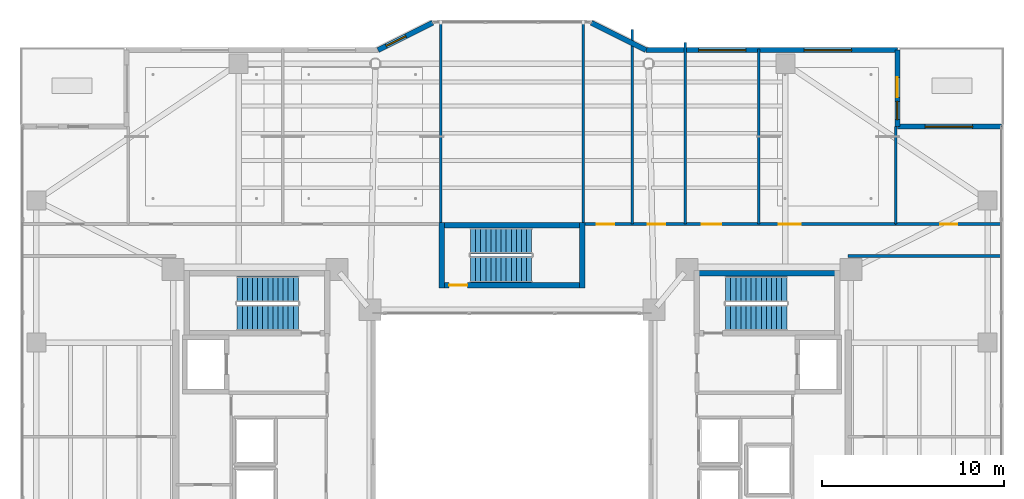
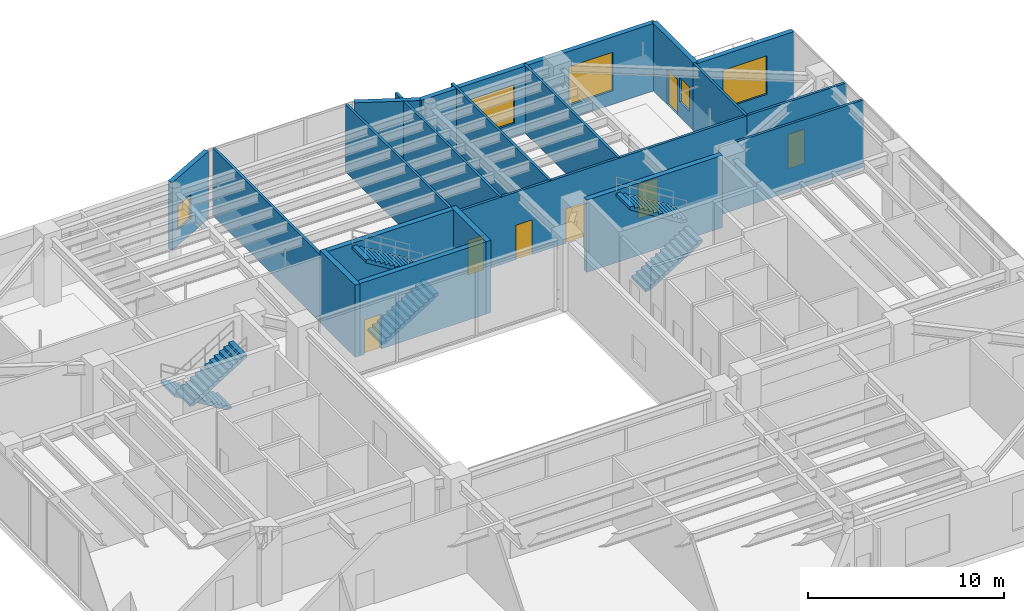
# One storey, part 30 of 38: 19 walls, 7 doors, 6 stair flights, 5 windows, 12 openings, 3 elements without a shape of their own.
"""IFC4 building model written with IfcOpenShell, lengths in metres."""

from ifc_helpers import new_model, si_unit, direction, frame, frame_2d, origin, place, context, subcontext, project, spatial, polyline, rectangle, outline, extrude, material, layer, layer_set, type_object, element, fill, aggregate, save


model = new_model("IFC4")

# Units and contexts
model_context = context("Model", 3, precision=1e-05, world=origin(), true_north=direction((0.0, 1.0)))
body_context = subcontext(model_context, "Body", "Model", "MODEL_VIEW")
ifc_project = project(units=[si_unit("LENGTHUNIT", "METRE"), si_unit("AREAUNIT", "SQUARE_METRE"), si_unit("VOLUMEUNIT", "CUBIC_METRE"), si_unit("PLANEANGLEUNIT", "RADIAN"), si_unit("MASSUNIT", "GRAM", prefix="KILO")], contexts=[model_context])

# Site, building, storey
site_placement = place(None, origin())
site = spatial("IfcSite", under=ifc_project, at=site_placement, CompositionType="ELEMENT")
building_placement = place(site_placement, origin())
building = spatial("IfcBuilding", under=site, at=building_placement, Name="Tarnavaz Court Tower", CompositionType="ELEMENT")
storey_placement = place(building_placement, frame((0.0, 0.0, 123.0)))
storey = spatial("IfcBuildingStorey", under=building, at=storey_placement, Name="L33", CompositionType="ELEMENT", Elevation=123.0)

# Walls
ifc_material_1 = material(Name="Concrete C60/75", Category="concrete")
ifc_layer_1 = layer(ifc_material_1, 0.300048828125)
ifc_layer_set_1 = layer_set([ifc_layer_1], Name="Concrete C60/75")
wall_type_1 = type_object("IfcWallType", Name="WL-CORE-300-C60", PredefinedType="SHEAR", material=ifc_layer_set_1)
for number, where, z_axis, x_axis, name in (
    (1, (10.0, 9.7900390625, 0.0), (0.0, 0.0, 1.0), (1.0, 0.0, 0.0), "L33 East Stair Core Wall 005"),
    (2, (-4.0, 12.43994140625, 0.0), (0.0, 0.0, 1.0), (1.0, 0.0, 0.0), "L33 North Stair Core Wall 009"),
):
    element("IfcWall", number, at=place(storey_placement, frame(where, z_axis=z_axis, x_axis=x_axis)), inside=storey, type_object=wall_type_1, Name=name, PredefinedType="SHEAR", context=body_context, shape_type="SweptSolid", body=[
        extrude(rectangle(XDim=8.0, YDim=0.300048828125, at=frame_2d((4.0, 0.0))), origin(), (0.0, 0.0, 1.0), 4.5),
    ])

# Wall, opening, door
wall_1_placement = place(storey_placement, frame((-4.0, 9.14990234375, 0.0), z_axis=(0.0, 0.0, 1.0), x_axis=(1.0, 0.0, 0.0)))
wall_1 = element("IfcWall", 3, at=wall_1_placement, inside=storey, type_object=wall_type_1, Name="L33 North Stair Core Wall 010", PredefinedType="SHEAR", context=body_context, shape_type="SweptSolid", body=[
    extrude(rectangle(XDim=8.0, YDim=0.300048828125, at=frame_2d((4.0, 0.0))), origin(), (0.0, 0.0, 1.0), 4.5),
])
opening_1_placement = place(wall_1_placement, frame((0.550048828125, 0.0, 0.0)))
opening_1 = element("IfcOpeningElement", 4, at=opening_1_placement, cuts=wall_1, Name="Opening D01", PredefinedType="OPENING", context=body_context, shape_type="SweptSolid", body=[
    extrude(rectangle(XDim=1.0, YDim=2.14990234375, at=frame_2d((0.5, 1.074951171875))), frame((0.0, 0.159912109375, 0.0), z_axis=(0.0, -1.0, 0.0), x_axis=(1.0, 0.0, 0.0)), (0.0, 0.0, 1.0), 0.320068359375),
])
ifc_material_2 = material(Name="Fire-Rated Hardwood Timber Core", Category="wood")
door_type_1 = type_object("IfcDoorType", Name="DR-FD90-1000", OperationType="NOTDEFINED", PredefinedType="DOOR", material=ifc_material_2)
door_1_placement = place(opening_1_placement, origin())
door_1 = element("IfcDoor", 5, at=door_1_placement, inside=storey, type_object=door_type_1, Name="L33 Stair ST-N1 Exit Door", OperationType="SINGLE_SWING_LEFT", OverallHeight=2.14990234375, OverallWidth=1.0, PredefinedType="DOOR", context=body_context, shape_type="SweptSolid", body=[
    extrude(rectangle(XDim=1.0, YDim=2.14990234375, at=frame_2d((0.5, 1.074951171875))), frame((0.0, 0.02490234375, 0.0), z_axis=(0.0, -1.0, 0.0), x_axis=(1.0, 0.0, 0.0)), (0.0, 0.0, 1.0), 0.050048828125),
])
fill(opening_1, door_1)

# Walls
for number, where, z_axis, x_axis, name in (
    (6, (-3.85009765625, 9.0, 0.0), (0.0, 0.0, 1.0), (0.0, 1.0, 0.0), "L33 North Stair Core Wall 011"),
    (7, (3.85009765625, 9.0, 0.0), (0.0, 0.0, 1.0), (0.0, 1.0, 0.0), "L33 North Stair Core Wall 012"),
):
    element("IfcWall", number, at=place(storey_placement, frame(where, z_axis=z_axis, x_axis=x_axis)), inside=storey, type_object=wall_type_1, Name=name, PredefinedType="SHEAR", context=body_context, shape_type="SweptSolid", body=[
        extrude(rectangle(XDim=3.590087890625, YDim=0.300048828125, at=frame_2d((1.794921875, 0.0))), origin(), (0.0, 0.0, 1.0), 4.5),
    ])

# Wall, opening, window
ifc_material_3 = material(Name="Precast Concrete C40/50", Category="concrete")
ifc_layer_2 = layer(ifc_material_3, 0.280029296875)
ifc_layer_set_2 = layer_set([ifc_layer_2], Name="Precast Concrete C40/50")
wall_type_2 = type_object("IfcWallType", Name="WL-EXT-280", PredefinedType="SOLIDWALL", material=ifc_layer_set_2)
wall_2_placement = place(storey_placement, frame((-7.35009765625, 22.050048828125, 0.0), z_axis=(0.0, 0.0, 1.0), x_axis=(0.894427191, 0.4472135955, 0.0)))
wall_2 = element("IfcWall", 8, at=wall_2_placement, inside=storey, type_object=wall_type_2, Name="L33 Exterior Terracotta Facade Wall 06", PredefinedType="SOLIDWALL", context=body_context, shape_type="SweptSolid", body=[
    extrude(rectangle(XDim=3.35400390625, YDim=0.280029296875, at=frame_2d((1.677001953125, 0.0))), origin(), (0.0, 0.0, 1.0), 4.199951171875),
])
opening_2_placement = place(wall_2_placement, frame((0.501220703125, 0.0, 0.949951171875)))
opening_2 = element("IfcOpeningElement", 9, at=opening_2_placement, cuts=wall_2, Name="Opening W05", PredefinedType="OPENING", context=body_context, shape_type="SweptSolid", body=[
    extrude(rectangle(XDim=1.199951171875, YDim=1.5, at=frame_2d((0.60009765625, 0.75))), frame((0.0, 0.14990234375, 0.0), z_axis=(0.0, -1.0, 0.0), x_axis=(1.0, 0.0, 0.0)), (0.0, 0.0, 1.0), 0.300048828125),
])
ifc_material_4 = material(Name="Double-Glazed Solar Low-E Glass", Category="glass")
window_type_1 = type_object("IfcWindowType", Name="WN-APT-1200", PartitioningType="SINGLE_PANEL", PredefinedType="WINDOW", material=ifc_material_4)
window_1_placement = place(opening_2_placement, origin())
window_1 = element("IfcWindow", 10, at=window_1_placement, inside=storey, type_object=window_type_1, Name="L33 L33 Resident Study Library Window", OverallHeight=1.5, OverallWidth=1.199951171875, PartitioningType="SINGLE_PANEL", PredefinedType="WINDOW", context=body_context, shape_type="SweptSolid", body=[
    extrude(rectangle(XDim=1.199951171875, YDim=1.5, at=frame_2d((0.60009765625, 0.75))), frame((0.0, 0.030029296875, 0.0), z_axis=(0.0, -1.0, 0.0), x_axis=(1.0, 0.0, 0.0)), (0.0, 0.0, 1.0), 0.06005859375),
])
fill(opening_2, window_1)

# Wall
wall_3_placement = place(storey_placement, frame((4.35009765625, 23.550048828125, 0.0), z_axis=(0.0, 0.0, 1.0), x_axis=(0.894427191, -0.4472135955, 0.0)))
element("IfcWall", 11, at=wall_3_placement, inside=storey, type_object=wall_type_2, Name="L33 Exterior Terracotta Facade Wall 08", PredefinedType="SOLIDWALL", context=body_context, shape_type="SweptSolid", body=[
    extrude(rectangle(XDim=3.35400390625, YDim=0.280029296875, at=frame_2d((1.677001953125, 0.0))), origin(), (0.0, 0.0, 1.0), 4.199951171875),
])

# Wall, openings, windows
wall_4_placement = place(storey_placement, frame((7.35009765625, 22.050048828125, 0.0), z_axis=(0.0, 0.0, 1.0), x_axis=(1.0, 0.0, 0.0)))
wall_4 = element("IfcWall", 12, at=wall_4_placement, inside=storey, type_object=wall_type_2, Name="L33 Exterior Terracotta Facade Wall 09", PredefinedType="SOLIDWALL", context=body_context, shape_type="SweptSolid", body=[
    extrude(rectangle(XDim=13.7998046875, YDim=0.280029296875, at=frame_2d((6.89990234375, 0.0))), origin(), (0.0, 0.0, 1.0), 4.199951171875),
])
opening_3_placement = place(wall_4_placement, frame((2.89013671875, 0.0, 0.85009765625)))
opening_3 = element("IfcOpeningElement", 13, at=opening_3_placement, cuts=wall_4, Name="Opening W11", PredefinedType="OPENING", context=body_context, shape_type="SweptSolid", body=[
    extrude(rectangle(XDim=2.60009765625, YDim=2.39990234375, at=frame_2d((1.300048828125, 1.199951171875))), frame((0.0, 0.14990234375, 0.0), z_axis=(0.0, -1.0, 0.0), x_axis=(1.0, 0.0, 0.0)), (0.0, 0.0, 1.0), 0.300048828125),
])
opening_4_placement = place(wall_4_placement, frame((8.686279296875, 0.0, 0.85009765625)))
opening_4 = element("IfcOpeningElement", 14, at=opening_4_placement, cuts=wall_4, Name="Opening W11", PredefinedType="OPENING", context=body_context, shape_type="SweptSolid", body=[
    extrude(rectangle(XDim=2.60009765625, YDim=2.39990234375, at=frame_2d((1.300048828125, 1.199951171875))), frame((0.0, 0.14990234375, 0.0), z_axis=(0.0, -1.0, 0.0), x_axis=(1.0, 0.0, 0.0)), (0.0, 0.0, 1.0), 0.300048828125),
])
window_type_2 = type_object("IfcWindowType", Name="WN-COM-2600", PartitioningType="TRIPLE_PANEL_VERTICAL", PredefinedType="WINDOW", material=ifc_material_4)
window_2_placement = place(opening_3_placement, origin())
window_2 = element("IfcWindow", 15, at=window_2_placement, inside=storey, type_object=window_type_2, Name="L33 Community Seminar Meeting Room Window", OverallHeight=2.39990234375, OverallWidth=2.60009765625, PartitioningType="SINGLE_PANEL", PredefinedType="WINDOW", context=body_context, shape_type="SweptSolid", body=[
    extrude(rectangle(XDim=2.60009765625, YDim=2.39990234375, at=frame_2d((1.300048828125, 1.199951171875))), frame((0.0, 0.030029296875, 0.0), z_axis=(0.0, -1.0, 0.0), x_axis=(1.0, 0.0, 0.0)), (0.0, 0.0, 1.0), 0.06005859375),
])
fill(opening_3, window_2)
window_3_placement = place(opening_4_placement, origin())
window_3 = element("IfcWindow", 16, at=window_3_placement, inside=storey, type_object=window_type_2, Name="L33 L33 Fitness Studio Window", OverallHeight=2.39990234375, OverallWidth=2.60009765625, PartitioningType="SINGLE_PANEL", PredefinedType="WINDOW", context=body_context, shape_type="SweptSolid", body=[
    extrude(rectangle(XDim=2.60009765625, YDim=2.39990234375, at=frame_2d((1.300048828125, 1.199951171875))), frame((0.0, 0.030029296875, 0.0), z_axis=(0.0, -1.0, 0.0), x_axis=(1.0, 0.0, 0.0)), (0.0, 0.0, 1.0), 0.06005859375),
])
fill(opening_4, window_3)

# Wall, openings, door, window
wall_5_placement = place(storey_placement, frame((21.14990234375, 22.050048828125, 0.0), z_axis=(0.0, 0.0, 1.0), x_axis=(0.0, -1.0, 0.0)))
wall_5 = element("IfcWall", 17, at=wall_5_placement, inside=storey, type_object=wall_type_2, Name="L33 Exterior Terracotta Facade Wall 10", PredefinedType="SOLIDWALL", context=body_context, shape_type="SweptSolid", body=[
    extrude(rectangle(XDim=4.199951171875, YDim=0.280029296875, at=frame_2d((2.10009765625, 0.0))), origin(), (0.0, 0.0, 1.0), 4.199951171875),
])
opening_5_placement = place(wall_5_placement, frame((1.5, 0.0, 0.0)))
opening_5 = element("IfcOpeningElement", 18, at=opening_5_placement, cuts=wall_5, Name="Opening TD1", PredefinedType="OPENING", context=body_context, shape_type="SweptSolid", body=[
    extrude(rectangle(XDim=1.10009765625, YDim=2.199951171875, at=frame_2d((0.550048828125, 1.10009765625))), frame((0.0, 0.14990234375, 0.0), z_axis=(0.0, -1.0, 0.0), x_axis=(1.0, 0.0, 0.0)), (0.0, 0.0, 1.0), 0.300048828125),
])
opening_6_placement = place(wall_5_placement, frame((2.8125, 0.0, 0.949951171875)))
opening_6 = element("IfcOpeningElement", 19, at=opening_6_placement, cuts=wall_5, Name="Opening W14", PredefinedType="OPENING", context=body_context, shape_type="SweptSolid", body=[
    extrude(rectangle(XDim=1.0, YDim=1.5, at=frame_2d((0.5, 0.75))), frame((0.0, 0.14990234375, 0.0), z_axis=(0.0, -1.0, 0.0), x_axis=(1.0, 0.0, 0.0)), (0.0, 0.0, 1.0), 0.300048828125),
])
ifc_material_5 = material(Name="Thermally Broken Aluminium and Laminated Glass", Category="aluminium")
door_type_2 = type_object("IfcDoorType", Name="DR-TERR-1100", OperationType="NOTDEFINED", PredefinedType="DOOR", material=ifc_material_5)
door_2_placement = place(opening_5_placement, origin())
door_2 = element("IfcDoor", 20, at=door_2_placement, inside=storey, type_object=door_type_2, Name="L33 Sky Terrace Access Door 1", OperationType="SINGLE_SWING_LEFT", OverallHeight=2.199951171875, OverallWidth=1.10009765625, PredefinedType="DOOR", context=body_context, shape_type="SweptSolid", body=[
    extrude(rectangle(XDim=1.10009765625, YDim=2.199951171875, at=frame_2d((0.550048828125, 1.10009765625))), frame((0.0, 0.02490234375, 0.0), z_axis=(0.0, -1.0, 0.0), x_axis=(1.0, 0.0, 0.0)), (0.0, 0.0, 1.0), 0.050048828125),
])
fill(opening_5, door_2)
window_type_3 = type_object("IfcWindowType", Name="WN-APT-1000", PartitioningType="SINGLE_PANEL", PredefinedType="WINDOW", material=ifc_material_4)
window_4_placement = place(opening_6_placement, origin())
window_4 = element("IfcWindow", 21, at=window_4_placement, inside=storey, type_object=window_type_3, Name="L33 L33 Fitness Studio Window", OverallHeight=1.5, OverallWidth=1.0, PartitioningType="SINGLE_PANEL", PredefinedType="WINDOW", context=body_context, shape_type="SweptSolid", body=[
    extrude(rectangle(XDim=1.0, YDim=1.5, at=frame_2d((0.5, 0.75))), frame((0.0, 0.030029296875, 0.0), z_axis=(0.0, -1.0, 0.0), x_axis=(1.0, 0.0, 0.0)), (0.0, 0.0, 1.0), 0.06005859375),
])
fill(opening_6, window_4)

# Wall, opening, window
wall_6_placement = place(storey_placement, frame((21.14990234375, 17.85009765625, 0.0), z_axis=(0.0, 0.0, 1.0), x_axis=(1.0, 0.0, 0.0)))
wall_6 = element("IfcWall", 22, at=wall_6_placement, inside=storey, type_object=wall_type_2, Name="L33 Exterior Terracotta Facade Wall 11", PredefinedType="SOLIDWALL", context=body_context, shape_type="SweptSolid", body=[
    extrude(rectangle(XDim=5.7001953125, YDim=0.280029296875, at=frame_2d((2.85009765625, 0.0))), origin(), (0.0, 0.0, 1.0), 4.199951171875),
])
opening_7_placement = place(wall_6_placement, frame((1.52490234375, 0.0, 0.85009765625)))
opening_7 = element("IfcOpeningElement", 23, at=opening_7_placement, cuts=wall_6, Name="Opening W11", PredefinedType="OPENING", context=body_context, shape_type="SweptSolid", body=[
    extrude(rectangle(XDim=2.60009765625, YDim=2.39990234375, at=frame_2d((1.300048828125, 1.199951171875))), frame((0.0, 0.14990234375, 0.0), z_axis=(0.0, -1.0, 0.0), x_axis=(1.0, 0.0, 0.0)), (0.0, 0.0, 1.0), 0.300048828125),
])
window_5_placement = place(opening_7_placement, origin())
window_5 = element("IfcWindow", 24, at=window_5_placement, inside=storey, type_object=window_type_2, Name="L33 L33 NE Terrace Salon Window", OverallHeight=2.39990234375, OverallWidth=2.60009765625, PartitioningType="SINGLE_PANEL", PredefinedType="WINDOW", context=body_context, shape_type="SweptSolid", body=[
    extrude(rectangle(XDim=2.60009765625, YDim=2.39990234375, at=frame_2d((1.300048828125, 1.199951171875))), frame((0.0, 0.030029296875, 0.0), z_axis=(0.0, -1.0, 0.0), x_axis=(1.0, 0.0, 0.0)), (0.0, 0.0, 1.0), 0.06005859375),
])
fill(opening_7, window_5)

# Wall, openings, doors
ifc_material_6 = material(Name="Gypsum Fire-Board on Acoustic Metal Stud", Category="masonry")
ifc_layer_3 = layer(ifc_material_6, 0.14990234375)
ifc_layer_set_3 = layer_set([ifc_layer_3], Name="Gypsum Fire-Board on Acoustic Metal Stud")
wall_type_3 = type_object("IfcWallType", Name="WL-FIRE-150", PredefinedType="PARTITIONING", material=ifc_layer_set_3)
wall_7_placement = place(storey_placement, frame((3.85009765625, 12.5, 0.0), z_axis=(0.0, 0.0, 1.0), x_axis=(1.0, 0.0, 0.0)))
wall_7 = element("IfcWall", 25, at=wall_7_placement, inside=storey, type_object=wall_type_3, Name="L33 NE Wing Corridor Wall 072", PredefinedType="PARTITIONING", context=body_context, shape_type="SweptSolid", body=[
    extrude(rectangle(XDim=17.199951171875, YDim=0.14990234375, at=frame_2d((8.60009765625, 0.0))), origin(), (0.0, 0.0, 1.0), 4.199951171875),
])
opening_8_placement = place(wall_7_placement, frame((0.800048828125, 0.0, 0.0)))
opening_8 = element("IfcOpeningElement", 26, at=opening_8_placement, cuts=wall_7, Name="Opening D13", PredefinedType="OPENING", context=body_context, shape_type="SweptSolid", body=[
    extrude(rectangle(XDim=0.949951171875, YDim=2.14990234375, at=frame_2d((0.47509765625, 1.074951171875))), frame((0.0, 0.0849609375, 0.0), z_axis=(0.0, -1.0, 0.0), x_axis=(1.0, 0.0, 0.0)), (0.0, 0.0, 1.0), 0.169921875),
])
opening_9_placement = place(wall_7_placement, frame((3.60009765625, 0.0, 0.0)))
opening_9 = element("IfcOpeningElement", 27, at=opening_9_placement, cuts=wall_7, Name="Opening D13", PredefinedType="OPENING", context=body_context, shape_type="SweptSolid", body=[
    extrude(rectangle(XDim=0.949951171875, YDim=2.14990234375, at=frame_2d((0.47509765625, 1.074951171875))), frame((0.0, 0.0849609375, 0.0), z_axis=(0.0, -1.0, 0.0), x_axis=(1.0, 0.0, 0.0)), (0.0, 0.0, 1.0), 0.169921875),
])
opening_10_placement = place(wall_7_placement, frame((6.550048828125, 0.0, 0.0)))
opening_10 = element("IfcOpeningElement", 28, at=opening_10_placement, cuts=wall_7, Name="Opening D12", PredefinedType="OPENING", context=body_context, shape_type="SweptSolid", body=[
    extrude(rectangle(XDim=1.080078125, YDim=2.14990234375, at=frame_2d((0.5400390625, 1.074951171875))), frame((0.0, 0.0849609375, 0.0), z_axis=(0.0, -1.0, 0.0), x_axis=(1.0, 0.0, 0.0)), (0.0, 0.0, 1.0), 0.169921875),
])
opening_11_placement = place(wall_7_placement, frame((10.79296875, 0.0, 0.0)))
opening_11 = element("IfcOpeningElement", 29, at=opening_11_placement, cuts=wall_7, Name="Opening D11", PredefinedType="OPENING", context=body_context, shape_type="SweptSolid", body=[
    extrude(rectangle(XDim=1.199951171875, YDim=2.14990234375, at=frame_2d((0.60009765625, 1.074951171875))), frame((0.0, 0.0849609375, 0.0), z_axis=(0.0, -1.0, 0.0), x_axis=(1.0, 0.0, 0.0)), (0.0, 0.0, 1.0), 0.169921875),
])
ifc_material_7 = material(Name="Engineered Oak Timber", Category="wood")
door_type_3 = type_object("IfcDoorType", Name="DR-INT-1100", OperationType="NOTDEFINED", PredefinedType="DOOR", material=ifc_material_7)
door_3_placement = place(opening_10_placement, origin())
door_3 = element("IfcDoor", 30, at=door_3_placement, inside=storey, type_object=door_type_3, Name="L33 Community Meeting Room Door", OperationType="SINGLE_SWING_LEFT", OverallHeight=2.14990234375, OverallWidth=1.080078125, PredefinedType="DOOR", context=body_context, shape_type="SweptSolid", body=[
    extrude(rectangle(XDim=1.080078125, YDim=2.14990234375, at=frame_2d((0.5400390625, 1.074951171875))), frame((0.0, 0.02490234375, 0.0), z_axis=(0.0, -1.0, 0.0), x_axis=(1.0, 0.0, 0.0)), (0.0, 0.0, 1.0), 0.050048828125),
])
fill(opening_10, door_3)
door_type_4 = type_object("IfcDoorType", Name="DR-INT-1200", OperationType="NOTDEFINED", PredefinedType="DOOR", material=ifc_material_7)
door_4_placement = place(opening_11_placement, origin())
door_4 = element("IfcDoor", 31, at=door_4_placement, inside=storey, type_object=door_type_4, Name="L33 L33 Fitness Studio Door", OperationType="SINGLE_SWING_RIGHT", OverallHeight=2.14990234375, OverallWidth=1.199951171875, PredefinedType="DOOR", context=body_context, shape_type="SweptSolid", body=[
    extrude(rectangle(XDim=1.199951171875, YDim=2.14990234375, at=frame_2d((0.60009765625, 1.074951171875))), frame((0.0, 0.02490234375, 0.0), z_axis=(0.0, -1.0, 0.0), x_axis=(1.0, 0.0, 0.0)), (0.0, 0.0, 1.0), 0.050048828125),
])
fill(opening_11, door_4)
door_type_5 = type_object("IfcDoorType", Name="DR-INT-950", OperationType="NOTDEFINED", PredefinedType="DOOR", material=ifc_material_7)
door_5_placement = place(opening_8_placement, origin())
door_5 = element("IfcDoor", 32, at=door_5_placement, inside=storey, type_object=door_type_5, Name="L33 Accessible WC Door", OperationType="SINGLE_SWING_LEFT", OverallHeight=2.14990234375, OverallWidth=0.949951171875, PredefinedType="DOOR", context=body_context, shape_type="SweptSolid", body=[
    extrude(rectangle(XDim=0.949951171875, YDim=2.14990234375, at=frame_2d((0.47509765625, 1.074951171875))), frame((0.0, 0.02490234375, 0.0), z_axis=(0.0, -1.0, 0.0), x_axis=(1.0, 0.0, 0.0)), (0.0, 0.0, 1.0), 0.050048828125),
])
fill(opening_8, door_5)
door_6_placement = place(opening_9_placement, origin())
door_6 = element("IfcDoor", 33, at=door_6_placement, inside=storey, type_object=door_type_5, Name="L33 Public Toilets Door", OperationType="SINGLE_SWING_RIGHT", OverallHeight=2.14990234375, OverallWidth=0.949951171875, PredefinedType="DOOR", context=body_context, shape_type="SweptSolid", body=[
    extrude(rectangle(XDim=0.949951171875, YDim=2.14990234375, at=frame_2d((0.47509765625, 1.074951171875))), frame((0.0, 0.02490234375, 0.0), z_axis=(0.0, -1.0, 0.0), x_axis=(1.0, 0.0, 0.0)), (0.0, 0.0, 1.0), 0.050048828125),
])
fill(opening_9, door_6)

# Wall
wall_8_placement = place(storey_placement, frame((18.449951171875, 10.75, 0.0), z_axis=(0.0, 0.0, 1.0), x_axis=(1.0, 0.0, 0.0)))
element("IfcWall", 34, at=wall_8_placement, inside=storey, type_object=wall_type_3, Name="L33 Interior Partition 090", PredefinedType="PARTITIONING", context=body_context, shape_type="SweptSolid", body=[
    extrude(rectangle(XDim=8.429931640625, YDim=0.14990234375, at=frame_2d((4.21484375, 0.0))), origin(), (0.0, 0.0, 1.0), 4.199951171875),
])

# Wall, opening, door
wall_9_placement = place(storey_placement, frame((21.050048828125, 12.5, 0.0), z_axis=(0.0, 0.0, 1.0), x_axis=(1.0, 0.0, 0.0)))
wall_9 = element("IfcWall", 35, at=wall_9_placement, inside=storey, type_object=wall_type_3, Name="L33 Interior Partition 096", PredefinedType="PARTITIONING", context=body_context, shape_type="SweptSolid", body=[
    extrude(rectangle(XDim=5.829833984375, YDim=0.14990234375, at=frame_2d((2.9150390625, 0.0))), origin(), (0.0, 0.0, 1.0), 4.199951171875),
])
opening_12_placement = place(wall_9_placement, frame((2.43994140625, 0.0, 0.0)))
opening_12 = element("IfcOpeningElement", 36, at=opening_12_placement, cuts=wall_9, Name="Opening D13", PredefinedType="OPENING", context=body_context, shape_type="SweptSolid", body=[
    extrude(rectangle(XDim=0.949951171875, YDim=2.14990234375, at=frame_2d((0.47509765625, 1.074951171875))), frame((0.0, 0.0849609375, 0.0), z_axis=(0.0, -1.0, 0.0), x_axis=(1.0, 0.0, 0.0)), (0.0, 0.0, 1.0), 0.169921875),
])
door_7_placement = place(opening_12_placement, origin())
door_7 = element("IfcDoor", 37, at=door_7_placement, inside=storey, type_object=door_type_5, Name="L33 NE Terrace Salon Door", OperationType="SINGLE_SWING_RIGHT", OverallHeight=2.14990234375, OverallWidth=0.949951171875, PredefinedType="DOOR", context=body_context, shape_type="SweptSolid", body=[
    extrude(rectangle(XDim=0.949951171875, YDim=2.14990234375, at=frame_2d((0.47509765625, 1.074951171875))), frame((0.0, 0.02490234375, 0.0), z_axis=(0.0, -1.0, 0.0), x_axis=(1.0, 0.0, 0.0)), (0.0, 0.0, 1.0), 0.050048828125),
])
fill(opening_12, door_7)

# Walls
ifc_material_8 = material(Name="Gypsum Plasterboard Acoustic Partition", Category="masonry")
ifc_layer_4 = layer(ifc_material_8, 0.139892578125)
ifc_layer_set_4 = layer_set([ifc_layer_4], Name="Gypsum Plasterboard Acoustic Partition")
wall_type_4 = type_object("IfcWallType", Name="WL-PART-150", PredefinedType="PARTITIONING", material=ifc_layer_set_4)
for number, where, z_axis, x_axis, name in (
    (38, (-3.89990234375, 12.5, 0.0), (0.0, 0.0, 1.0), (0.0, 1.0, 0.0), "L33 Interior Partition 075"),
    (39, (3.89990234375, 12.5, 0.0), (0.0, 0.0, 1.0), (0.0, 1.0, 0.0), "L33 Interior Partition 076"),
):
    element("IfcWall", number, at=place(storey_placement, frame(where, z_axis=z_axis, x_axis=x_axis)), inside=storey, type_object=wall_type_4, Name=name, PredefinedType="PARTITIONING", context=body_context, shape_type="SweptSolid", body=[
        extrude(rectangle(XDim=11.080078125, YDim=0.139892578125, at=frame_2d((5.5400390625, 0.0))), origin(), (0.0, 0.0, 1.0), 4.199951171875),
    ])
wall_10_placement = place(storey_placement, frame((6.60009765625, 12.5, 0.0), z_axis=(0.0, 0.0, 1.0), x_axis=(0.0, 1.0, 0.0)))
element("IfcWall", 40, at=wall_10_placement, inside=storey, type_object=wall_type_4, Name="L33 Interior Partition 078", PredefinedType="PARTITIONING", context=body_context, shape_type="SweptSolid", body=[
    extrude(rectangle(XDim=10.68505859375, YDim=0.139892578125, at=frame_2d((5.342529296875, 0.0))), origin(), (0.0, 0.0, 1.0), 4.199951171875),
])
wall_11_placement = place(storey_placement, frame((9.5, 12.5, 0.0), z_axis=(0.0, 0.0, 1.0), x_axis=(0.0, 1.0, 0.0)))
element("IfcWall", 41, at=wall_11_placement, inside=storey, type_object=wall_type_4, Name="L33 Interior Partition 079", PredefinedType="PARTITIONING", context=body_context, shape_type="SweptSolid", body=[
    extrude(rectangle(XDim=9.969970703125, YDim=0.139892578125, at=frame_2d((4.98486328125, 0.0))), origin(), (0.0, 0.0, 1.0), 4.199951171875),
])
wall_12_placement = place(storey_placement, frame((13.54296875, 12.5, 0.0), z_axis=(0.0, 0.0, 1.0), x_axis=(0.0, 1.0, 0.0)))
element("IfcWall", 42, at=wall_12_placement, inside=storey, type_object=wall_type_4, Name="L33 Interior Partition 080", PredefinedType="PARTITIONING", context=body_context, shape_type="SweptSolid", body=[
    extrude(rectangle(XDim=9.60009765625, YDim=0.139892578125, at=frame_2d((4.800048828125, 0.0))), origin(), (0.0, 0.0, 1.0), 4.199951171875),
])
wall_13_placement = place(storey_placement, frame((21.050048828125, 12.5, 0.0), z_axis=(0.0, 0.0, 1.0), x_axis=(0.0, 1.0, 0.0)))
element("IfcWall", 43, at=wall_13_placement, inside=storey, type_object=wall_type_4, Name="L33 Interior Partition 094", PredefinedType="PARTITIONING", context=body_context, shape_type="SweptSolid", body=[
    extrude(rectangle(XDim=5.35009765625, YDim=0.139892578125, at=frame_2d((2.675048828125, 0.0))), origin(), (0.0, 0.0, 1.0), 4.199951171875),
])

# Stair, stair flights
ifc_material_9 = material(Name="Concrete C40/50", Category="concrete")
stair_type = type_object("IfcStairType", Name="ST-TWR-26R", PredefinedType="HALF_TURN_STAIR", material=ifc_material_9)
stair_1_placement = place(storey_placement, origin())
stair_1 = element("IfcStair", 44, at=stair_1_placement, inside=storey, type_object=stair_type, Name="L33 West Core Pressurized Exit Stair ST-W1", PredefinedType="HALF_TURN_STAIR")
stair_flight_type = type_object("IfcStairFlightType", Name="SFL-RC-26R", PredefinedType="STRAIGHT", material=ifc_material_9)
stair_flight_1_placement = place(storey_placement, frame((-11.719970703125, 8.929931640625, 0.0), z_axis=(0.0, 0.0, 1.0), x_axis=(-1.0, 0.0, 0.0)))
stair_flight_1 = element("IfcStairFlight", 45, at=stair_flight_1_placement, type_object=stair_flight_type, Name="ST-W1 flight 1", NumberOfRisers=13, NumberOfTreads=12, PredefinedType="STRAIGHT", RiserHeight=0.173076923, TreadLength=0.28, context=body_context, shape_type="SweptSolid", body=[
    extrude(outline(polyline([(0.0, 0.0), (0.0, 0.173095703125), (0.280029296875, 0.173095703125), (0.280029296875, 0.34619140625), (0.56005859375, 0.34619140625), (0.56005859375, 0.519287109375), (0.840087890625, 0.519287109375), (0.840087890625, 0.6923828125), (1.1201171875, 0.6923828125), (1.1201171875, 0.865478515625), (1.39990234375, 0.865478515625), (1.39990234375, 1.03857421875), (1.679931640625, 1.03857421875), (1.679931640625, 1.21142578125), (1.9599609375, 1.21142578125), (1.9599609375, 1.384521484375), (2.239990234375, 1.384521484375), (2.239990234375, 1.5576171875), (2.52001953125, 1.5576171875), (2.52001953125, 1.730712890625), (2.800048828125, 1.730712890625), (2.800048828125, 1.90380859375), (3.080078125, 1.90380859375), (3.080078125, 2.076904296875), (3.360107421875, 2.076904296875), (3.360107421875, 2.25), (3.360107421875, 1.900634765625), (0.28515625, 0.0), (0.0, 0.0)])), frame((0.0, 0.7099609375, 0.0), z_axis=(0.0, -1.0, 0.0), x_axis=(1.0, 0.0, 0.0)), (0.0, 0.0, 1.0), 1.419921875),
])
stair_flight_2_placement = place(storey_placement, frame((-15.080078125, 7.360107421875, 2.25), z_axis=(0.0, 0.0, 1.0), x_axis=(1.0, 0.0, 0.0)))
stair_flight_2 = element("IfcStairFlight", 46, at=stair_flight_2_placement, type_object=stair_flight_type, Name="ST-W1 flight 2", NumberOfRisers=13, NumberOfTreads=12, PredefinedType="STRAIGHT", RiserHeight=0.173076923, TreadLength=0.28, context=body_context, shape_type="SweptSolid", body=[
    extrude(outline(polyline([(0.0, 0.0), (0.0, 0.173095703125), (0.280029296875, 0.173095703125), (0.280029296875, 0.34619140625), (0.56005859375, 0.34619140625), (0.56005859375, 0.519287109375), (0.840087890625, 0.519287109375), (0.840087890625, 0.6923828125), (1.1201171875, 0.6923828125), (1.1201171875, 0.865478515625), (1.39990234375, 0.865478515625), (1.39990234375, 1.03857421875), (1.679931640625, 1.03857421875), (1.679931640625, 1.21142578125), (1.9599609375, 1.21142578125), (1.9599609375, 1.384521484375), (2.239990234375, 1.384521484375), (2.239990234375, 1.5576171875), (2.52001953125, 1.5576171875), (2.52001953125, 1.730712890625), (2.800048828125, 1.730712890625), (2.800048828125, 1.90380859375), (3.080078125, 1.90380859375), (3.080078125, 2.076904296875), (3.360107421875, 2.076904296875), (3.360107421875, 2.25), (3.360107421875, 1.900634765625), (0.28515625, 0.0), (0.0, 0.0)])), frame((0.0, 0.7099609375, 0.0), z_axis=(0.0, -1.0, 0.0), x_axis=(1.0, 0.0, 0.0)), (0.0, 0.0, 1.0), 1.419921875),
])
aggregate(stair_1, [stair_flight_1, stair_flight_2])

stair_2_placement = place(storey_placement, origin())
stair_2 = element("IfcStair", 47, at=stair_2_placement, inside=storey, type_object=stair_type, Name="L33 East Core Pressurized Exit Stair ST-E1", PredefinedType="HALF_TURN_STAIR")
stair_flight_3_placement = place(storey_placement, frame((11.719970703125, 7.360107421875, 0.0), z_axis=(0.0, 0.0, 1.0), x_axis=(1.0, 0.0, 0.0)))
stair_flight_3 = element("IfcStairFlight", 48, at=stair_flight_3_placement, type_object=stair_flight_type, Name="ST-E1 flight 1", NumberOfRisers=13, NumberOfTreads=12, PredefinedType="STRAIGHT", RiserHeight=0.173076923, TreadLength=0.28, context=body_context, shape_type="SweptSolid", body=[
    extrude(outline(polyline([(0.0, 0.0), (0.0, 0.173095703125), (0.280029296875, 0.173095703125), (0.280029296875, 0.34619140625), (0.56005859375, 0.34619140625), (0.56005859375, 0.519287109375), (0.840087890625, 0.519287109375), (0.840087890625, 0.6923828125), (1.1201171875, 0.6923828125), (1.1201171875, 0.865478515625), (1.39990234375, 0.865478515625), (1.39990234375, 1.03857421875), (1.679931640625, 1.03857421875), (1.679931640625, 1.21142578125), (1.9599609375, 1.21142578125), (1.9599609375, 1.384521484375), (2.239990234375, 1.384521484375), (2.239990234375, 1.5576171875), (2.52001953125, 1.5576171875), (2.52001953125, 1.730712890625), (2.800048828125, 1.730712890625), (2.800048828125, 1.90380859375), (3.080078125, 1.90380859375), (3.080078125, 2.076904296875), (3.360107421875, 2.076904296875), (3.360107421875, 2.25), (3.360107421875, 1.900634765625), (0.28515625, 0.0), (0.0, 0.0)])), frame((0.0, 0.7099609375, 0.0), z_axis=(0.0, -1.0, 0.0), x_axis=(1.0, 0.0, 0.0)), (0.0, 0.0, 1.0), 1.419921875),
])
stair_flight_4_placement = place(storey_placement, frame((15.080078125, 8.929931640625, 2.25), z_axis=(0.0, 0.0, 1.0), x_axis=(-1.0, 0.0, 0.0)))
stair_flight_4 = element("IfcStairFlight", 49, at=stair_flight_4_placement, type_object=stair_flight_type, Name="ST-E1 flight 2", NumberOfRisers=13, NumberOfTreads=12, PredefinedType="STRAIGHT", RiserHeight=0.173076923, TreadLength=0.28, context=body_context, shape_type="SweptSolid", body=[
    extrude(outline(polyline([(0.0, 0.0), (0.0, 0.173095703125), (0.280029296875, 0.173095703125), (0.280029296875, 0.34619140625), (0.56005859375, 0.34619140625), (0.56005859375, 0.519287109375), (0.840087890625, 0.519287109375), (0.840087890625, 0.6923828125), (1.1201171875, 0.6923828125), (1.1201171875, 0.865478515625), (1.39990234375, 0.865478515625), (1.39990234375, 1.03857421875), (1.679931640625, 1.03857421875), (1.679931640625, 1.21142578125), (1.9599609375, 1.21142578125), (1.9599609375, 1.384521484375), (2.239990234375, 1.384521484375), (2.239990234375, 1.5576171875), (2.52001953125, 1.5576171875), (2.52001953125, 1.730712890625), (2.800048828125, 1.730712890625), (2.800048828125, 1.90380859375), (3.080078125, 1.90380859375), (3.080078125, 2.076904296875), (3.360107421875, 2.076904296875), (3.360107421875, 2.25), (3.360107421875, 1.900634765625), (0.28515625, 0.0), (0.0, 0.0)])), frame((0.0, 0.7099609375, 0.0), z_axis=(0.0, -1.0, 0.0), x_axis=(1.0, 0.0, 0.0)), (0.0, 0.0, 1.0), 1.419921875),
])
aggregate(stair_2, [stair_flight_3, stair_flight_4])

stair_3_placement = place(storey_placement, origin())
stair_3 = element("IfcStair", 50, at=stair_3_placement, inside=storey, type_object=stair_type, Name="L33 North Ring Pressurized Exit Stair ST-N1", PredefinedType="HALF_TURN_STAIR")
stair_flight_5_placement = place(storey_placement, frame((-2.280029296875, 10.010009765625, 0.0), z_axis=(0.0, 0.0, 1.0), x_axis=(1.0, 0.0, 0.0)))
stair_flight_5 = element("IfcStairFlight", 51, at=stair_flight_5_placement, type_object=stair_flight_type, Name="ST-N1 flight 1", NumberOfRisers=13, NumberOfTreads=12, PredefinedType="STRAIGHT", RiserHeight=0.173076923, TreadLength=0.28, context=body_context, shape_type="SweptSolid", body=[
    extrude(outline(polyline([(0.0, 0.0), (0.0, 0.173095703125), (0.280029296875, 0.173095703125), (0.280029296875, 0.34619140625), (0.56005859375, 0.34619140625), (0.56005859375, 0.519287109375), (0.840087890625, 0.519287109375), (0.840087890625, 0.6923828125), (1.1201171875, 0.6923828125), (1.1201171875, 0.865478515625), (1.39990234375, 0.865478515625), (1.39990234375, 1.03857421875), (1.679931640625, 1.03857421875), (1.679931640625, 1.21142578125), (1.9599609375, 1.21142578125), (1.9599609375, 1.384521484375), (2.239990234375, 1.384521484375), (2.239990234375, 1.5576171875), (2.52001953125, 1.5576171875), (2.52001953125, 1.730712890625), (2.800048828125, 1.730712890625), (2.800048828125, 1.90380859375), (3.080078125, 1.90380859375), (3.080078125, 2.076904296875), (3.360107421875, 2.076904296875), (3.360107421875, 2.25), (3.360107421875, 1.900634765625), (0.28515625, 0.0), (0.0, 0.0)])), frame((0.0, 0.7099609375, 0.0), z_axis=(0.0, -1.0, 0.0), x_axis=(1.0, 0.0, 0.0)), (0.0, 0.0, 1.0), 1.419921875),
])
stair_flight_6_placement = place(storey_placement, frame((1.080078125, 11.580078125, 2.25), z_axis=(0.0, 0.0, 1.0), x_axis=(-1.0, 0.0, 0.0)))
stair_flight_6 = element("IfcStairFlight", 52, at=stair_flight_6_placement, type_object=stair_flight_type, Name="ST-N1 flight 2", NumberOfRisers=13, NumberOfTreads=12, PredefinedType="STRAIGHT", RiserHeight=0.173076923, TreadLength=0.28, context=body_context, shape_type="SweptSolid", body=[
    extrude(outline(polyline([(0.0, 0.0), (0.0, 0.173095703125), (0.280029296875, 0.173095703125), (0.280029296875, 0.34619140625), (0.56005859375, 0.34619140625), (0.56005859375, 0.519287109375), (0.840087890625, 0.519287109375), (0.840087890625, 0.6923828125), (1.1201171875, 0.6923828125), (1.1201171875, 0.865478515625), (1.39990234375, 0.865478515625), (1.39990234375, 1.03857421875), (1.679931640625, 1.03857421875), (1.679931640625, 1.21142578125), (1.9599609375, 1.21142578125), (1.9599609375, 1.384521484375), (2.239990234375, 1.384521484375), (2.239990234375, 1.5576171875), (2.52001953125, 1.5576171875), (2.52001953125, 1.730712890625), (2.800048828125, 1.730712890625), (2.800048828125, 1.90380859375), (3.080078125, 1.90380859375), (3.080078125, 2.076904296875), (3.360107421875, 2.076904296875), (3.360107421875, 2.25), (3.360107421875, 1.900634765625), (0.28515625, 0.0), (0.0, 0.0)])), frame((0.0, 0.7099609375, 0.0), z_axis=(0.0, -1.0, 0.0), x_axis=(1.0, 0.0, 0.0)), (0.0, 0.0, 1.0), 1.419921875),
])
aggregate(stair_3, [stair_flight_5, stair_flight_6])

save(model, "model.ifc")
